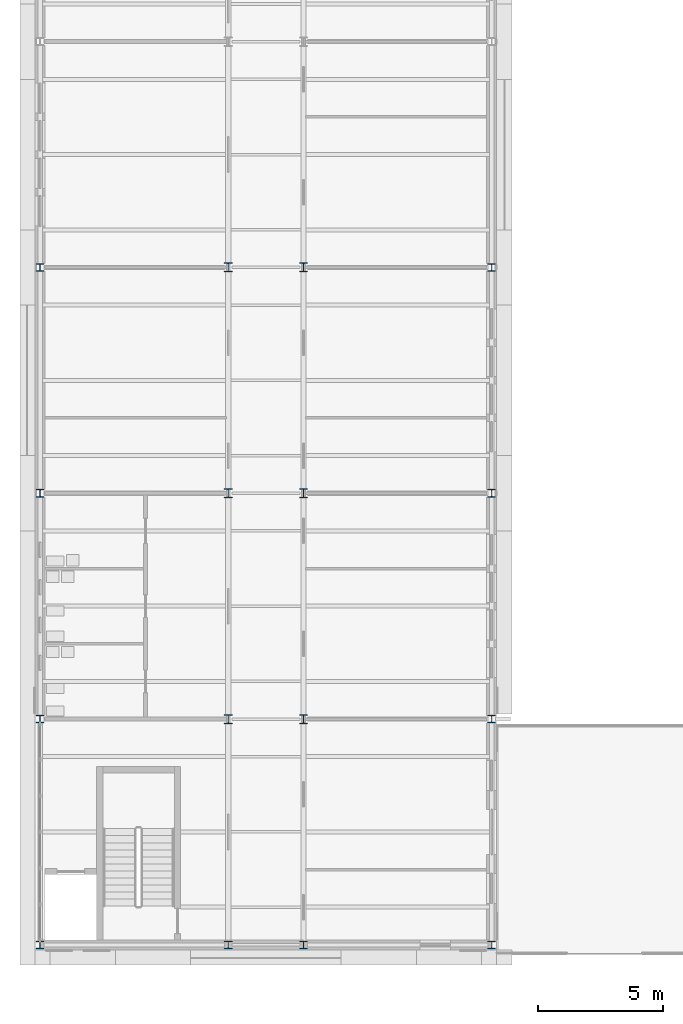
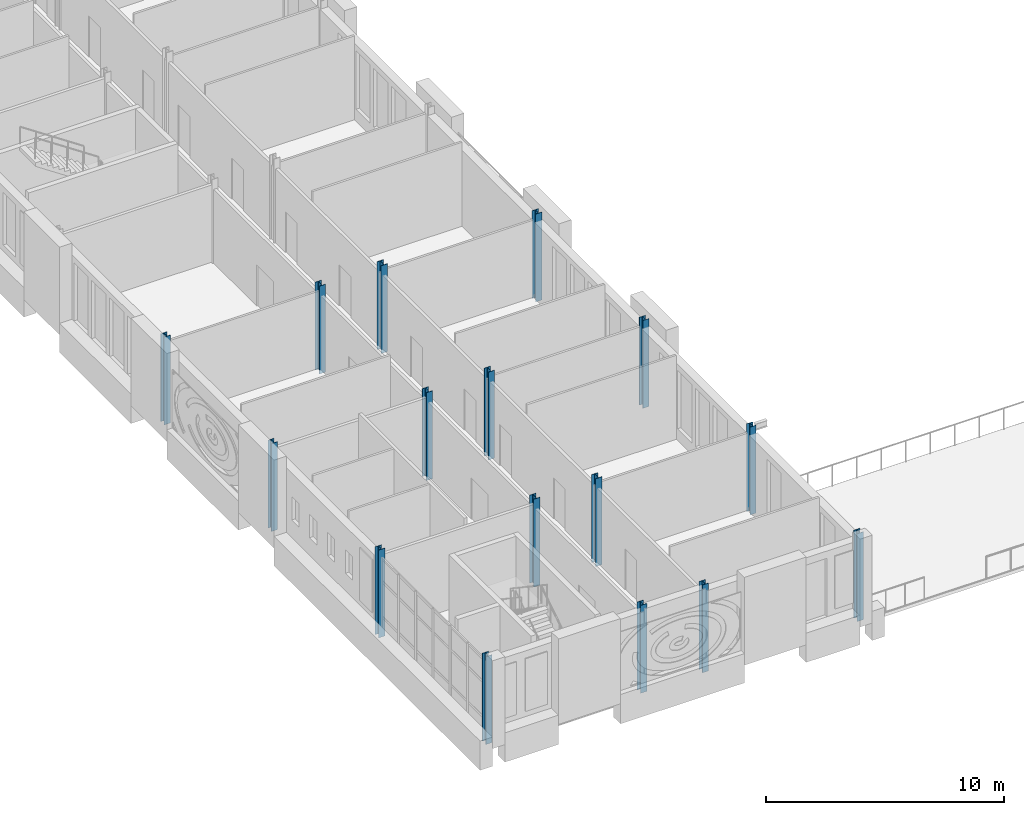
# One storey, part 1 of 134: 16 columns.
"""IFC4 building model written with IfcOpenShell, lengths in metres."""

from ifc_helpers import new_model, si_unit, direction, frame, origin, origin_2d, place, context, subcontext, project, spatial, i_section, extrude, material, material_profile, profile_set, type_object, element, save


model = new_model("IFC4")

# Units and contexts
model_context = context("Model", 3, precision=1e-05, world=origin(), true_north=direction((0.0, 1.0)))
body_context = subcontext(model_context, "Body", "Model", "MODEL_VIEW")
ifc_project = project(units=[si_unit("LENGTHUNIT", "METRE"), si_unit("AREAUNIT", "SQUARE_METRE"), si_unit("VOLUMEUNIT", "CUBIC_METRE"), si_unit("PLANEANGLEUNIT", "RADIAN"), si_unit("MASSUNIT", "GRAM", prefix="KILO")], contexts=[model_context])

# Site, building, storey
site_placement = place(None, origin())
site = spatial("IfcSite", under=ifc_project, at=site_placement, CompositionType="ELEMENT")
building_placement = place(site_placement, origin())
building = spatial("IfcBuilding", under=site, at=building_placement, Name="Golden Quay Civic Hall", CompositionType="ELEMENT")
storey_placement = place(building_placement, frame((0.0, 0.0, 5.39990234375)))
storey = spatial("IfcBuildingStorey", under=building, at=storey_placement, Name="L01", CompositionType="ELEMENT", Elevation=5.39990234375)

# Columns
ifc_material_1 = material(Name="Steel S355", Category="steel")
ifc_material_profile_1 = material_profile(ifc_material_1, i_section(OverallWidth=0.300048828125, OverallDepth=0.300048828125, WebThickness=0.010986328125, FlangeThickness=0.01904296875, FilletRadius=0.027099609375, at=origin_2d()), Name="HEB 300")
ifc_profile_set_1 = profile_set([ifc_material_profile_1], Name="Steel S355")
column_type_1 = type_object("IfcColumnType", Name="Steel column HEB 300", PredefinedType="COLUMN", material=ifc_profile_set_1)
for number, where, z_axis, x_axis, name in (
    (1, (0.0, -9.0, -0.199951171875), (0.0, 0.0, 1.0), (1.0, 0.0, 0.0), "Column 0/-9 L01"),
    (2, (0.0, 0.0, -0.199951171875), (0.0, 0.0, 1.0), (1.0, 0.0, 0.0), "Column 0/0 L01"),
    (3, (0.0, 9.0, -0.199951171875), (0.0, 0.0, 1.0), (1.0, 0.0, 0.0), "Column 0/9 L01"),
    (4, (0.0, 18.0, -0.199951171875), (0.0, 0.0, 1.0), (1.0, 0.0, 0.0), "Column 0/18 L01"),
    (5, (7.5, -9.0, -0.199951171875), (0.0, 0.0, 1.0), (1.0, 0.0, 0.0), "Column 7.5/-9 L01"),
    (6, (10.5, -9.0, -0.199951171875), (0.0, 0.0, 1.0), (1.0, 0.0, 0.0), "Column 10.5/-9 L01"),
    (7, (18.0, -9.0, -0.199951171875), (0.0, 0.0, 1.0), (1.0, 0.0, 0.0), "Column 18/-9 L01"),
    (8, (18.0, 0.0, -0.199951171875), (0.0, 0.0, 1.0), (1.0, 0.0, 0.0), "Column 18/0 L01"),
    (9, (18.0, 9.0, -0.199951171875), (0.0, 0.0, 1.0), (1.0, 0.0, 0.0), "Column 18/9 L01"),
    (10, (18.0, 18.0, -0.199951171875), (0.0, 0.0, 1.0), (1.0, 0.0, 0.0), "Column 18/18 L01"),
):
    element("IfcColumn", number, at=place(storey_placement, frame(where, z_axis=z_axis, x_axis=x_axis)), inside=storey, type_object=column_type_1, Name=name, PredefinedType="COLUMN", context=body_context, shape_type="SweptSolid", body=[
        extrude(i_section(OverallWidth=0.300048828125, OverallDepth=0.300048828125, WebThickness=0.010986328125, FlangeThickness=0.01904296875, FilletRadius=0.027099609375, at=origin_2d()), origin(), (0.0, 0.0, 1.0), 4.5),
    ])
ifc_material_2 = material(Name="Steel S355", Category="steel")
ifc_material_profile_2 = material_profile(ifc_material_2, i_section(OverallWidth=0.300048828125, OverallDepth=0.360107421875, WebThickness=0.012451171875, FlangeThickness=0.0224609375, FilletRadius=0.027099609375, at=origin_2d()), Name="HEB 360")
ifc_profile_set_2 = profile_set([ifc_material_profile_2], Name="Steel S355")
column_type_2 = type_object("IfcColumnType", Name="Steel column HEB 360", PredefinedType="COLUMN", material=ifc_profile_set_2)
for number, where, z_axis, x_axis, name in (
    (11, (7.5, 0.0, -0.199951171875), (0.0, 0.0, 1.0), (1.0, 0.0, 0.0), "Column 7.5/0 L01"),
    (12, (7.5, 9.0, -0.199951171875), (0.0, 0.0, 1.0), (1.0, 0.0, 0.0), "Column 7.5/9 L01"),
    (13, (7.5, 18.0, -0.199951171875), (0.0, 0.0, 1.0), (1.0, 0.0, 0.0), "Column 7.5/18 L01"),
    (14, (10.5, 0.0, -0.199951171875), (0.0, 0.0, 1.0), (1.0, 0.0, 0.0), "Column 10.5/0 L01"),
    (15, (10.5, 9.0, -0.199951171875), (0.0, 0.0, 1.0), (1.0, 0.0, 0.0), "Column 10.5/9 L01"),
    (16, (10.5, 18.0, -0.199951171875), (0.0, 0.0, 1.0), (1.0, 0.0, 0.0), "Column 10.5/18 L01"),
):
    element("IfcColumn", number, at=place(storey_placement, frame(where, z_axis=z_axis, x_axis=x_axis)), inside=storey, type_object=column_type_2, Name=name, PredefinedType="COLUMN", context=body_context, shape_type="SweptSolid", body=[
        extrude(i_section(OverallWidth=0.300048828125, OverallDepth=0.360107421875, WebThickness=0.012451171875, FlangeThickness=0.0224609375, FilletRadius=0.027099609375, at=origin_2d()), origin(), (0.0, 0.0, 1.0), 4.5),
    ])

save(model, "model.ifc")
